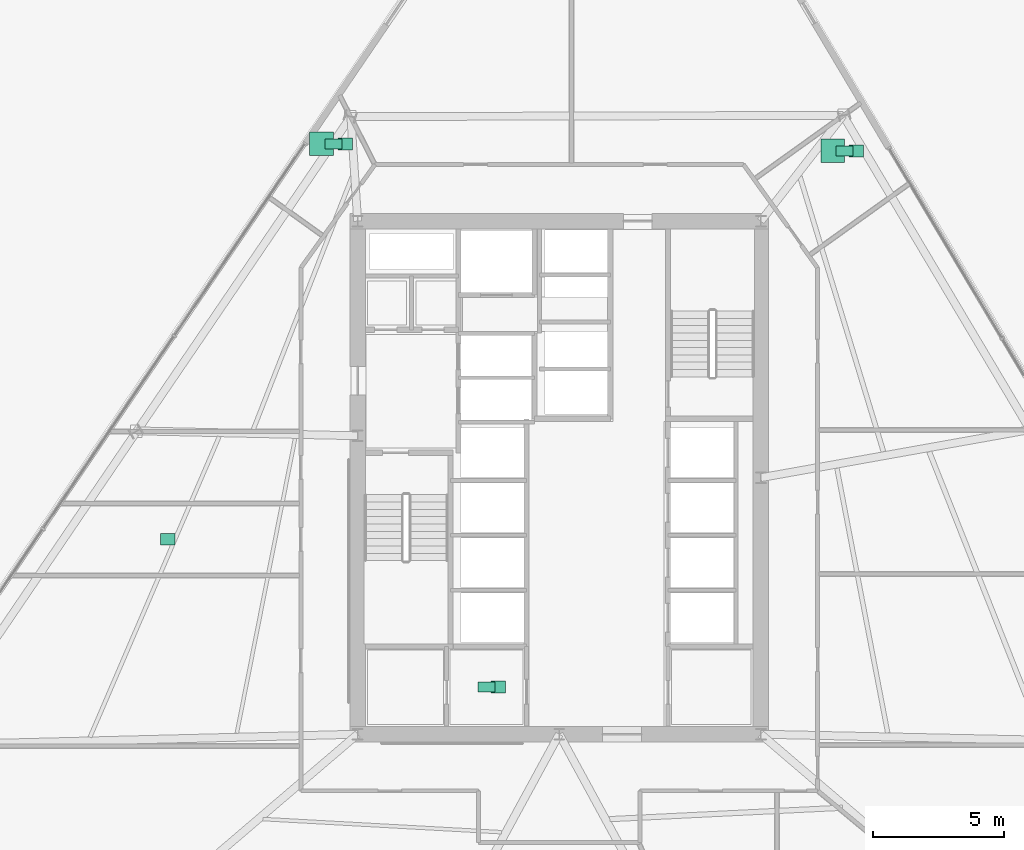
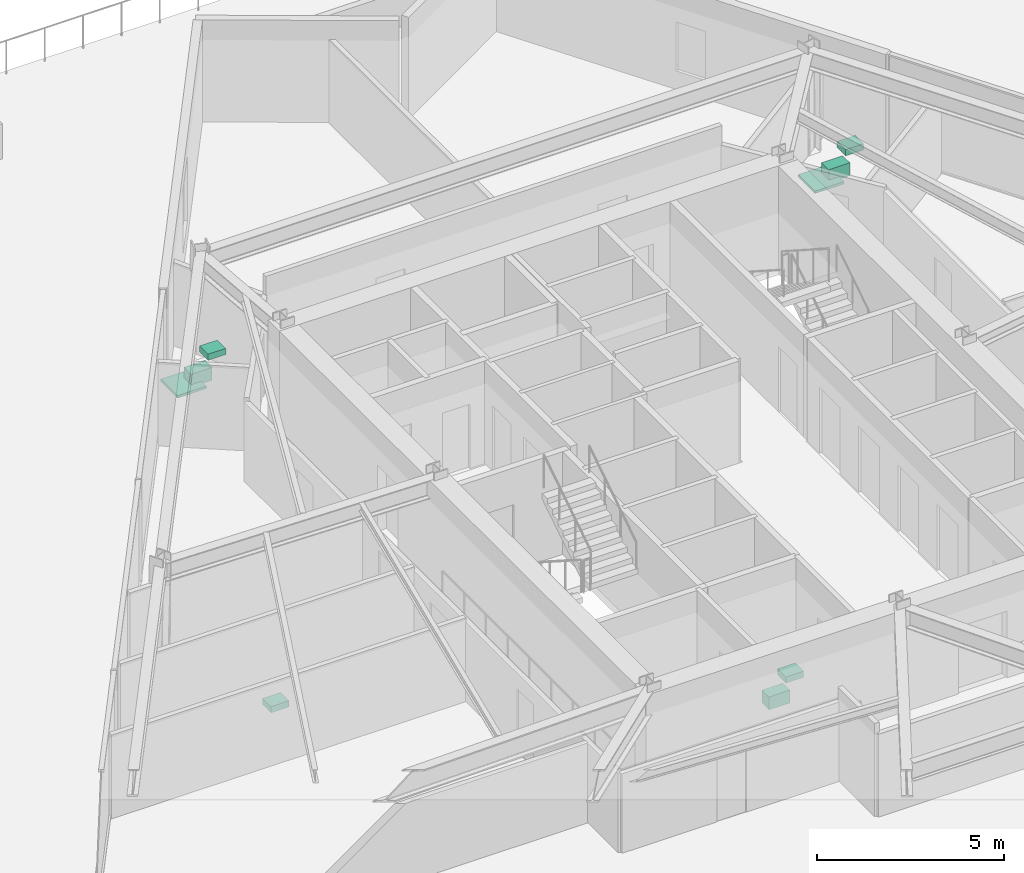
# One storey, part 19 of 19: 9 sanitary terminals.
"""IFC4 building model written with IfcOpenShell, lengths in metres."""

import ifcopenshell
import ifcopenshell.guid

model = None  # the IFC model being written
_history = None  # IfcOwnerHistory: only IFC2X3 demands one
_inside = {}  # id of a spatial element -> (the spatial element, [elements in it])
_under = {}  # id of a project, library or spatial element -> (it, [spatial elements below it])
_declared = {}  # id of a project -> (the project, [libraries it declares])
_typed = {}  # id of a type object -> (the type object, [elements of that type])
_made_of = {}  # id of a material, layer set ... -> (it, [elements and type objects made of it])


def new_model(schema):
    """Start an empty IFC model of exactly this schema.

    Asked for "IFC4X3", IfcOpenShell would pick the latest addendum, in which some entities
    have other attributes; the version numbers below select the first issue.
    IFC2X3 requires an IfcOwnerHistory on every rooted entity: one is made here for all.
    """
    global model, _history
    if schema == "IFC4X3":
        model = ifcopenshell.file(schema_version=(4, 3, 0, 0))
    else:
        model = ifcopenshell.file(schema=schema)
    _inside.clear()
    _under.clear()
    _declared.clear()
    _typed.clear()
    _made_of.clear()
    _history = None
    if model.schema == "IFC2X3":
        org = make("IfcOrganization", Name="unknown")
        user = make(
            "IfcPersonAndOrganization",
            ThePerson=make("IfcPerson", FamilyName="unknown"),
            TheOrganization=org,
        )
        app = make(
            "IfcApplication",
            ApplicationDeveloper=org,
            Version="unknown",
            ApplicationFullName="unknown",
            ApplicationIdentifier="unknown",
        )
        _history = make(
            "IfcOwnerHistory",
            OwningUser=user,
            OwningApplication=app,
            ChangeAction="ADDED",
            CreationDate=0,
        )
    return model


def make(cls, **values):
    """One entity of the class cls with the attributes given. An attribute that is None is left unset."""
    return model.create_entity(
        cls, **{name: value for name, value in values.items() if value is not None}
    )


def rooted(cls, **values):
    """An entity with a GlobalId (a new one), such as an element, a storey or a relation."""
    return make(cls, GlobalId=ifcopenshell.guid.new(), OwnerHistory=_history, **values)


def si_unit(unit_type, name, prefix=None):
    """IfcSIUnit, for example si_unit("LENGTHUNIT", "METRE", prefix="MILLI")."""
    return make("IfcSIUnit", UnitType=unit_type, Prefix=prefix, Name=name)


def assignment(units):
    """IfcUnitAssignment: the units of a project."""
    return None if units is None else make("IfcUnitAssignment", Units=units)


def point(xyz):
    """IfcCartesianPoint."""
    return None if xyz is None else make("IfcCartesianPoint", Coordinates=xyz)


def direction(xyz):
    """IfcDirection."""
    return None if xyz is None else make("IfcDirection", DirectionRatios=xyz)


def frame(location, z_axis=None, x_axis=None):
    """IfcAxis2Placement3D, a coordinate frame: its origin and axes. An axis left out is left unset."""
    return make(
        "IfcAxis2Placement3D",
        Location=point(location),
        Axis=direction(z_axis),
        RefDirection=direction(x_axis),
    )


def frame_2d(location, x_axis=None):
    """IfcAxis2Placement2D, a coordinate frame in the plane: its origin and x axis."""
    return make(
        "IfcAxis2Placement2D", Location=point(location), RefDirection=direction(x_axis)
    )


def origin():
    """The frame at (0, 0, 0) with its axes left unset."""
    return frame((0.0, 0.0, 0.0))


def origin_2d():
    """The frame at (0, 0) in the plane with its x axis left unset."""
    return frame_2d((0.0, 0.0))


def place(relative_to, where):
    """IfcLocalPlacement: puts the frame where relative to a parent placement (None: the world)."""
    return make(
        "IfcLocalPlacement", PlacementRelTo=relative_to, RelativePlacement=where
    )


def context(
    kind, dimensions, precision=None, world=None, true_north=None, identifier=None
):
    """IfcGeometricRepresentationContext, for example the 3D "Model" context."""
    return make(
        "IfcGeometricRepresentationContext",
        ContextIdentifier=identifier,
        ContextType=kind,
        CoordinateSpaceDimension=dimensions,
        Precision=precision,
        WorldCoordinateSystem=world,
        TrueNorth=true_north,
    )


def subcontext(parent, identifier, kind, view, scale=None):
    """IfcGeometricRepresentationSubContext, for example "Body" below "Model"."""
    return make(
        "IfcGeometricRepresentationSubContext",
        ContextIdentifier=identifier,
        ContextType=kind,
        ParentContext=parent,
        TargetScale=scale,
        TargetView=view,
    )


def project(units=None, contexts=None):
    """IfcProject with its units and contexts."""
    return rooted(
        "IfcProject",
        Name="project",
        RepresentationContexts=contexts,
        UnitsInContext=assignment(units),
    )


def spatial(cls, under=None, at=None, **own):
    """A site, building, storey or space (cls), placed at a placement, below another one or the project."""
    s = rooted(cls, ObjectPlacement=at, **own)
    if under is not None:
        _under.setdefault(under.id(), (under, []))[1].append(s)
    return s


def profile(cls, at=None, kind="AREA", **sizes):
    """A parametric profile (cls). Its sizes go by their IFC names, for example OverallWidth=200.0."""
    return make(cls, ProfileType=kind, Position=at, **sizes)


def rectangle(**sizes):
    """IfcRectangleProfileDef."""
    return profile("IfcRectangleProfileDef", **sizes)


def extrude(swept, where, along, depth):
    """IfcExtrudedAreaSolid: the profile swept, set in the frame where, extruded along a direction by depth."""
    return make(
        "IfcExtrudedAreaSolid",
        SweptArea=swept,
        Position=where,
        ExtrudedDirection=direction(along),
        Depth=depth,
    )


def shape(context_of_items, identifier, shape_type, items):
    """IfcShapeRepresentation: the items that make up one representation, for example the "Body"."""
    return make(
        "IfcShapeRepresentation",
        ContextOfItems=context_of_items,
        RepresentationIdentifier=identifier,
        RepresentationType=shape_type,
        Items=items,
    )


def material(Name=None, Category=None):
    """IfcMaterial."""
    return make("IfcMaterial", Name=Name, Category=Category)


def made_of(thing, what):
    """Note that an element or type object is made of a material, layer set ...; save() writes the relation."""
    if what is not None:
        _made_of.setdefault(what.id(), (what, []))[1].append(thing)
    return thing


def type_object(cls, material=None, **own):
    """A type object (cls), such as IfcWallType, which elements share."""
    return made_of(rooted(cls, **own), material)


def element(
    cls,
    number,
    at=None,
    inside=None,
    cuts=None,
    type_object=None,
    material=None,
    context=None,
    identifier="Body",
    shape_type=None,
    held_by="IfcProductDefinitionShape",
    body=None,
    shapes=None,
    **own,
):
    """One element of the class cls, such as IfcWall. Its Tag is "e" and its number.

    at: its placement. inside: the storey or other place that contains it. cuts: it is an
    opening in that element (IfcRelVoidsElement). A single representation is given by context,
    identifier, shape_type and body (its items); several are given by shapes. held_by: the class
    of the entity that holds the representations. save() writes the other relations.
    """
    e = rooted(cls, Tag="e%d" % number, ObjectPlacement=at, **own)
    if body is not None:
        shapes = [shape(context, identifier, shape_type, body)]
    if shapes is not None:
        e.Representation = make(held_by, Representations=shapes)
    if inside is not None:
        _inside.setdefault(inside.id(), (inside, []))[1].append(e)
    if cuts is not None:
        rooted(
            "IfcRelVoidsElement", RelatingBuildingElement=cuts, RelatedOpeningElement=e
        )
    if type_object is not None:
        _typed.setdefault(type_object.id(), (type_object, []))[1].append(e)
    return made_of(e, material)


def aggregate(whole, parts):
    """IfcRelAggregates: a whole, such as a stair, and the parts it consists of."""
    return rooted("IfcRelAggregates", RelatingObject=whole, RelatedObjects=parts)


def save(model, path):
    """Write the relations noted so far, then the file.

    IfcRelAggregates (storeys below a building ...), IfcRelContainedInSpatialStructure (elements
    in a storey), IfcRelDefinesByType, IfcRelAssociatesMaterial and IfcRelDeclares: one each for
    every whole, place, type object, material and project.
    """
    for whole, parts in _under.values():
        aggregate(whole, parts)
    for where, things in _inside.values():
        rooted(
            "IfcRelContainedInSpatialStructure",
            RelatedElements=things,
            RelatingStructure=where,
        )
    for kind, things in _typed.values():
        rooted("IfcRelDefinesByType", RelatedObjects=things, RelatingType=kind)
    for what, things in _made_of.values():
        rooted("IfcRelAssociatesMaterial", RelatedObjects=things, RelatingMaterial=what)
    for by, libraries in _declared.values():
        rooted("IfcRelDeclares", RelatingContext=by, RelatedDefinitions=libraries)
    model.write(path)


model = new_model("IFC4")

# Units and contexts
model_context = context("Model", 3, precision=1e-05, world=origin(), true_north=direction((0.0, 1.0)))
body_context = subcontext(model_context, "Body", "Model", "MODEL_VIEW")
ifc_project = project(units=[si_unit("LENGTHUNIT", "METRE"), si_unit("AREAUNIT", "SQUARE_METRE"), si_unit("VOLUMEUNIT", "CUBIC_METRE"), si_unit("PLANEANGLEUNIT", "RADIAN"), si_unit("MASSUNIT", "GRAM", prefix="KILO")], contexts=[model_context])

# Site, building, storey
site_placement = place(None, origin())
site = spatial("IfcSite", under=ifc_project, at=site_placement, CompositionType="ELEMENT")
building_placement = place(site_placement, origin())
building = spatial("IfcBuilding", under=site, at=building_placement, Name="Savorim Split Tower", CompositionType="ELEMENT")
storey_placement = place(building_placement, frame((0.0, 0.0, 26.39990234375)))
storey = spatial("IfcBuildingStorey", under=building, at=storey_placement, Name="L06", CompositionType="ELEMENT", Elevation=26.39990234375)

# Sanitary terminals
ifc_material = material(Name="Vitreous China Sanitaryware")
sanitary_terminal_type_1 = type_object("IfcSanitaryTerminalType", Name="SAN-SHW-900", PredefinedType="SHOWER", material=ifc_material)
for number, where, z_axis, x_axis, name in (
    (1, (10.44482421875, 12.88330078125, 0.0), (0.0, 0.0, 1.0), (1.0, 0.0, 0.0), "L06 Shared Bathroom Shower"),
    (2, (-9.0810546875, 13.148681640625, 0.0), (0.0, 0.0, 1.0), (1.0, 0.0, 0.0), "L06 Shared Bathroom Shower"),
):
    element("IfcSanitaryTerminal", number, at=place(storey_placement, frame(where, z_axis=z_axis, x_axis=x_axis)), inside=storey, type_object=sanitary_terminal_type_1, Name=name, PredefinedType="SHOWER", context=body_context, shape_type="SweptSolid", body=[
        extrude(rectangle(XDim=0.89990234375, YDim=0.89990234375, at=origin_2d()), origin(), (0.0, 0.0, 1.0), 0.080078125),
    ])
sanitary_terminal_type_2 = type_object("IfcSanitaryTerminalType", Name="SAN-WC-PAN", PredefinedType="TOILETPAN", material=ifc_material)
for number, where, z_axis, x_axis, name in (
    (3, (-2.77490234375, -7.60009765625, 0.000244140625), (0.0, 0.0, 1.0), (1.0, 0.0, 0.0), "L06 Accessible WC WC Pan"),
    (4, (10.89501953125, 12.88330078125, 0.000244140625), (0.0, 0.0, 1.0), (1.0, 0.0, 0.0), "L06 Shared Bathroom WC Pan"),
    (5, (-8.631103515625, 13.148681640625, 0.000244140625), (0.0, 0.0, 1.0), (1.0, 0.0, 0.0), "L06 Shared Bathroom WC Pan"),
):
    element("IfcSanitaryTerminal", number, at=place(storey_placement, frame(where, z_axis=z_axis, x_axis=x_axis)), inside=storey, type_object=sanitary_terminal_type_2, Name=name, PredefinedType="TOILETPAN", context=body_context, shape_type="SweptSolid", body=[
        extrude(rectangle(XDim=0.64990234375, YDim=0.3798828125, at=origin_2d()), origin(), (0.0, 0.0, 1.0), 0.419921875),
    ])
sanitary_terminal_type_3 = type_object("IfcSanitaryTerminalType", Name="SAN-WHB-550", PredefinedType="WASHHANDBASIN", material=ifc_material)
for number, where, z_axis, x_axis, name in (
    (6, (-2.324951171875, -7.60009765625, 0.72021484375), (0.0, 0.0, 1.0), (1.0, 0.0, 0.0), "L06 Accessible WC Washhand Basin"),
    (7, (-14.953857421875, -1.955078125, 0.75), (0.0, 0.0, 1.0), (1.0, 0.0, 0.0), "L06 Shared Kitchen Utility Sink"),
    (8, (11.344970703125, 12.88330078125, 0.72021484375), (0.0, 0.0, 1.0), (1.0, 0.0, 0.0), "L06 Shared Bathroom Washhand Basin"),
    (9, (-8.18115234375, 13.148681640625, 0.72021484375), (0.0, 0.0, 1.0), (1.0, 0.0, 0.0), "L06 Shared Bathroom Washhand Basin"),
):
    element("IfcSanitaryTerminal", number, at=place(storey_placement, frame(where, z_axis=z_axis, x_axis=x_axis)), inside=storey, type_object=sanitary_terminal_type_3, Name=name, PredefinedType="WASHHANDBASIN", context=body_context, shape_type="SweptSolid", body=[
        extrude(rectangle(XDim=0.550048828125, YDim=0.449951171875, at=origin_2d()), origin(), (0.0, 0.0, 1.0), 0.199951171875),
    ])

save(model, "model.ifc")
